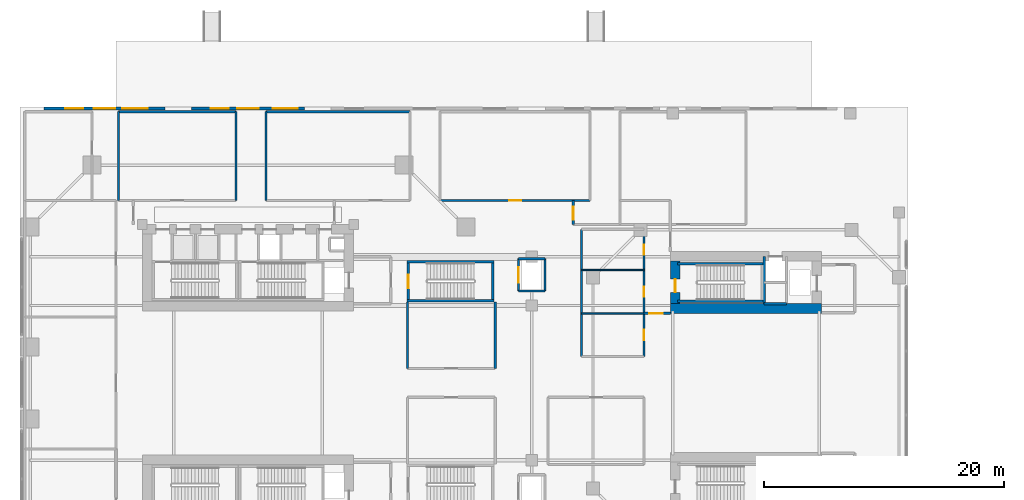
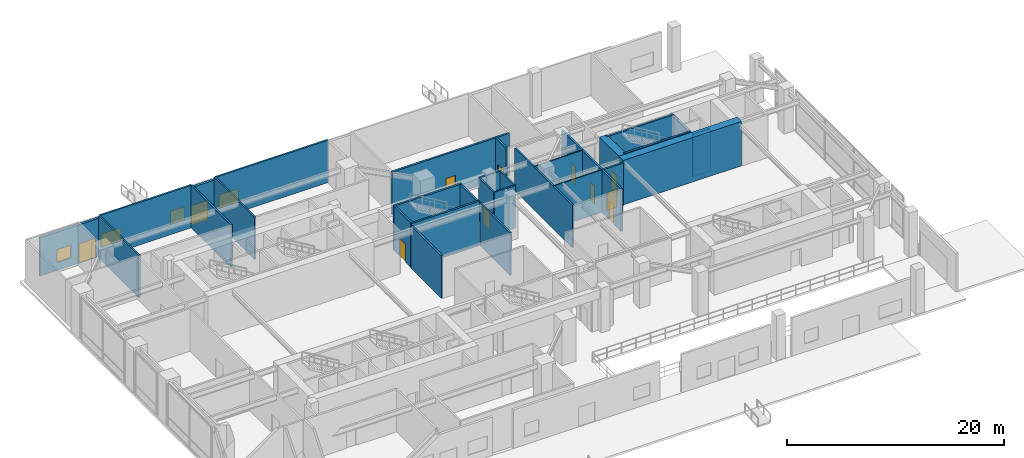
# One storey, part 11 of 18: 30 walls, 11 doors, 4 windows, 15 openings.
"""IFC4 building model written with IfcOpenShell, lengths in metres."""

from ifc_helpers import new_model, si_unit, direction, frame, frame_2d, origin, place, context, subcontext, project, spatial, rectangle, extrude, source, transform, mapped, material, layer, layer_set, type_object, element, fill, save


model = new_model("IFC4")

# Units and contexts
model_context = context("Model", 3, precision=1e-05, world=origin(), true_north=direction((0.0, 1.0)))
body_context = subcontext(model_context, "Body", "Model", "MODEL_VIEW")
ifc_project = project(units=[si_unit("LENGTHUNIT", "METRE"), si_unit("AREAUNIT", "SQUARE_METRE"), si_unit("VOLUMEUNIT", "CUBIC_METRE"), si_unit("PLANEANGLEUNIT", "RADIAN"), si_unit("MASSUNIT", "GRAM", prefix="KILO"), si_unit("THERMODYNAMICTEMPERATUREUNIT", "KELVIN"), si_unit("POWERUNIT", "WATT")], contexts=[model_context])

# Site, building, storey
site_placement = place(None, origin())
site = spatial("IfcSite", under=ifc_project, at=site_placement, CompositionType="ELEMENT")
building_placement = place(site_placement, origin())
building = spatial("IfcBuilding", under=site, at=building_placement, Name="Qiaomeng Ring Towers", CompositionType="ELEMENT")
storey_placement = place(building_placement, origin())
storey = spatial("IfcBuildingStorey", under=building, at=storey_placement, Name="L00", CompositionType="ELEMENT", Elevation=0.0)

# Wall, openings, door, windows
ifc_material_1 = material(Name="Precast concrete C40", Category="concrete")
ifc_layer_1 = layer(ifc_material_1, 0.25, Name="Precast concrete C40")
ifc_layer_set_1 = layer_set([ifc_layer_1], Name="Precast concrete C40")
wall_type_1 = type_object("IfcWallType", Name="ARC-WL-EW1", PredefinedType="STANDARD", material=ifc_layer_set_1)
wall_1_placement = place(storey_placement, frame((2.0, 45.875, 0.0), z_axis=(0.0, 0.0, 1.0), x_axis=(1.0, 0.0, 0.0)))
wall_1 = element("IfcWall", 1, at=wall_1_placement, inside=storey, type_object=wall_type_1, Name="L00 North Facade Wall N1", PredefinedType="STANDARD", context=body_context, shape_type="SweptSolid", body=[
    extrude(rectangle(XDim=10.10009765625, YDim=0.25, at=frame_2d((5.050048828125, 0.0))), origin(), (0.0, 0.0, 1.0), 4.320068359375),
])
opening_1_placement = place(wall_1_placement, frame((4.14990234375, 0.0, 0.0)))
opening_1 = element("IfcOpeningElement", 2, at=opening_1_placement, cuts=wall_1, Name="Opening ED1", PredefinedType="OPENING", context=body_context, shape_type="SweptSolid", body=[
    extrude(rectangle(XDim=1.800048828125, YDim=2.199951171875, at=frame_2d((0.89990234375, 1.10009765625))), frame((0.0, 0.135009765625, 0.0), z_axis=(0.0, -1.0, 0.0), x_axis=(1.0, 0.0, 0.0)), (0.0, 0.0, 1.0), 0.27001953125),
])
opening_2_placement = place(wall_1_placement, frame((1.77490234375, 0.0, 0.89990234375)))
opening_2 = element("IfcOpeningElement", 3, at=opening_2_placement, cuts=wall_1, Name="Opening WN2", PredefinedType="OPENING", context=body_context, shape_type="SweptSolid", body=[
    extrude(rectangle(XDim=1.5, YDim=1.449951171875, at=frame_2d((0.75, 0.72509765625))), frame((0.0, 0.135009765625, 0.0), z_axis=(0.0, -1.0, 0.0), x_axis=(1.0, 0.0, 0.0)), (0.0, 0.0, 1.0), 0.27001953125),
])
opening_3_placement = place(wall_1_placement, frame((6.52490234375, 0.0, 0.89990234375)))
opening_3 = element("IfcOpeningElement", 4, at=opening_3_placement, cuts=wall_1, Name="Opening WN4", PredefinedType="OPENING", context=body_context, shape_type="SweptSolid", body=[
    extrude(rectangle(XDim=2.10009765625, YDim=1.47998046875, at=frame_2d((1.050048828125, 0.739990234375))), frame((0.0, 0.135009765625, 0.0), z_axis=(0.0, -1.0, 0.0), x_axis=(1.0, 0.0, 0.0)), (0.0, 0.0, 1.0), 0.27001953125),
])
ifc_material_2 = material(Name="Fluorocarbon dark-grey aluminium", Category="aluminium")
door_type_1 = type_object("IfcDoorType", Name="ARC-DR-ED1", OperationType="NOTDEFINED", PredefinedType="DOOR", material=ifc_material_2)
shared_shape_1 = source(origin(), body_context, "Body", "SweptSolid", [
    extrude(rectangle(XDim=1.800048828125, YDim=2.199951171875, at=frame_2d((0.89990234375, 1.10009765625))), frame((0.0, 0.02490234375, 0.0), z_axis=(0.0, -1.0, 0.0), x_axis=(1.0, 0.0, 0.0)), (0.0, 0.0, 1.0), 0.050048828125),
])
door_1_placement = place(opening_1_placement, origin())
door_1 = element("IfcDoor", 5, at=door_1_placement, inside=storey, type_object=door_type_1, Name="Ground Final Exit Double Door ED06", OperationType="DOUBLE_DOOR_SINGLE_SWING", OverallHeight=2.199951171875, OverallWidth=1.800048828125, PredefinedType="DOOR", context=body_context, shape_type="MappedRepresentation", body=[
    mapped(shared_shape_1, transform((0.0, 0.0, 0.0), x_axis=(1.0, 0.0, 0.0), y_axis=(0.0, 1.0, 0.0), z_axis=(0.0, 0.0, 1.0), scale=1.0)),
])
fill(opening_1, door_1)
ifc_material_3 = material(Name="Low-E dark-grey laminated double glazing", Category="glass")
window_type_1 = type_object("IfcWindowType", Name="ARC-WN-2", PartitioningType="DOUBLE_PANEL_VERTICAL", PredefinedType="WINDOW", material=ifc_material_3)
shared_shape_2 = source(origin(), body_context, "Body", "SweptSolid", [
    extrude(rectangle(XDim=1.5, YDim=1.449951171875, at=frame_2d((0.75, 0.72509765625))), frame((0.0, 0.030029296875, 0.0), z_axis=(0.0, -1.0, 0.0), x_axis=(1.0, 0.0, 0.0)), (0.0, 0.0, 1.0), 0.06005859375),
])
window_1_placement = place(opening_2_placement, origin())
window_1 = element("IfcWindow", 6, at=window_1_placement, inside=storey, type_object=window_type_1, Name="L00 Exterior Window WN2", OverallHeight=1.449951171875, OverallWidth=1.5, PartitioningType="DOUBLE_PANEL_VERTICAL", PredefinedType="WINDOW", context=body_context, shape_type="MappedRepresentation", body=[
    mapped(shared_shape_2, transform((0.0, 0.0, 0.0), x_axis=(1.0, 0.0, 0.0), y_axis=(0.0, 1.0, 0.0), z_axis=(0.0, 0.0, 1.0), scale=1.0)),
])
fill(opening_2, window_1)
window_type_2 = type_object("IfcWindowType", Name="ARC-WN-4", PartitioningType="TRIPLE_PANEL_VERTICAL", PredefinedType="WINDOW", material=ifc_material_3)
shared_shape_3 = source(origin(), body_context, "Body", "SweptSolid", [
    extrude(rectangle(XDim=2.10009765625, YDim=1.47998046875, at=frame_2d((1.050048828125, 0.739990234375))), frame((0.0, 0.030029296875, 0.0), z_axis=(0.0, -1.0, 0.0), x_axis=(1.0, 0.0, 0.0)), (0.0, 0.0, 1.0), 0.06005859375),
])
window_2_placement = place(opening_3_placement, origin())
window_2 = element("IfcWindow", 7, at=window_2_placement, inside=storey, type_object=window_type_2, Name="L00 Exterior Window WN4", OverallHeight=1.47998046875, OverallWidth=2.10009765625, PartitioningType="TRIPLE_PANEL_VERTICAL", PredefinedType="WINDOW", context=body_context, shape_type="MappedRepresentation", body=[
    mapped(shared_shape_3, transform((0.0, 0.0, 0.0), x_axis=(1.0, 0.0, 0.0), y_axis=(0.0, 1.0, 0.0), z_axis=(0.0, 0.0, 1.0), scale=1.0)),
])
fill(opening_3, window_2)

wall_2_placement = place(storey_placement, frame((14.300048828125, 45.875, 0.0), z_axis=(0.0, 0.0, 1.0), x_axis=(1.0, 0.0, 0.0)))
wall_2 = element("IfcWall", 8, at=wall_2_placement, inside=storey, type_object=wall_type_1, Name="L00 North Facade Wall N2", PredefinedType="STANDARD", context=body_context, shape_type="SweptSolid", body=[
    extrude(rectangle(XDim=9.39990234375, YDim=0.25, at=frame_2d((4.699951171875, 0.0))), origin(), (0.0, 0.0, 1.0), 4.320068359375),
])
opening_4_placement = place(wall_2_placement, frame((3.800048828125, 0.0, 0.0)))
opening_4 = element("IfcOpeningElement", 9, at=opening_4_placement, cuts=wall_2, Name="Opening ED1", PredefinedType="OPENING", context=body_context, shape_type="SweptSolid", body=[
    extrude(rectangle(XDim=1.800048828125, YDim=2.199951171875, at=frame_2d((0.89990234375, 1.10009765625))), frame((0.0, 0.135009765625, 0.0), z_axis=(0.0, -1.0, 0.0), x_axis=(1.0, 0.0, 0.0)), (0.0, 0.0, 1.0), 0.27001953125),
])
opening_5_placement = place(wall_2_placement, frame((1.60009765625, 0.0, 0.89990234375)))
opening_5 = element("IfcOpeningElement", 10, at=opening_5_placement, cuts=wall_2, Name="Opening WN2", PredefinedType="OPENING", context=body_context, shape_type="SweptSolid", body=[
    extrude(rectangle(XDim=1.5, YDim=1.449951171875, at=frame_2d((0.75, 0.72509765625))), frame((0.0, 0.135009765625, 0.0), z_axis=(0.0, -1.0, 0.0), x_axis=(1.0, 0.0, 0.0)), (0.0, 0.0, 1.0), 0.27001953125),
])
opening_6_placement = place(wall_2_placement, frame((6.75, 0.0, 0.89990234375)))
opening_6 = element("IfcOpeningElement", 11, at=opening_6_placement, cuts=wall_2, Name="Opening WN4", PredefinedType="OPENING", context=body_context, shape_type="SweptSolid", body=[
    extrude(rectangle(XDim=2.10009765625, YDim=1.5, at=frame_2d((1.050048828125, 0.75))), frame((0.0, 0.135009765625, 0.0), z_axis=(0.0, -1.0, 0.0), x_axis=(1.0, 0.0, 0.0)), (0.0, 0.0, 1.0), 0.27001953125),
])
door_2_placement = place(opening_4_placement, origin())
door_2 = element("IfcDoor", 12, at=door_2_placement, inside=storey, type_object=door_type_1, Name="Ground Final Exit Double Door ED07", OperationType="DOUBLE_DOOR_SINGLE_SWING", OverallHeight=2.199951171875, OverallWidth=1.800048828125, PredefinedType="DOOR", context=body_context, shape_type="MappedRepresentation", body=[
    mapped(shared_shape_1, transform((0.0, 0.0, 0.0), x_axis=(1.0, 0.0, 0.0), y_axis=(0.0, 1.0, 0.0), z_axis=(0.0, 0.0, 1.0), scale=1.0)),
])
fill(opening_4, door_2)
window_3_placement = place(opening_5_placement, origin())
window_3 = element("IfcWindow", 13, at=window_3_placement, inside=storey, type_object=window_type_1, Name="L00 Exterior Window WN2", OverallHeight=1.449951171875, OverallWidth=1.5, PartitioningType="DOUBLE_PANEL_VERTICAL", PredefinedType="WINDOW", context=body_context, shape_type="MappedRepresentation", body=[
    mapped(shared_shape_2, transform((0.0, 0.0, 0.0), x_axis=(1.0, 0.0, 0.0), y_axis=(0.0, 1.0, 0.0), z_axis=(0.0, 0.0, 1.0), scale=1.0)),
])
fill(opening_5, window_3)
shared_shape_4 = source(origin(), body_context, "Body", "SweptSolid", [
    extrude(rectangle(XDim=2.10009765625, YDim=1.5, at=frame_2d((1.050048828125, 0.75))), frame((0.0, 0.030029296875, 0.0), z_axis=(0.0, -1.0, 0.0), x_axis=(1.0, 0.0, 0.0)), (0.0, 0.0, 1.0), 0.06005859375),
])
window_4_placement = place(opening_6_placement, origin())
window_4 = element("IfcWindow", 14, at=window_4_placement, inside=storey, type_object=window_type_2, Name="L00 Exterior Window WN4", OverallHeight=1.5, OverallWidth=2.10009765625, PartitioningType="TRIPLE_PANEL_VERTICAL", PredefinedType="WINDOW", context=body_context, shape_type="MappedRepresentation", body=[
    mapped(shared_shape_4, transform((0.0, 0.0, 0.0), x_axis=(1.0, 0.0, 0.0), y_axis=(0.0, 1.0, 0.0), z_axis=(0.0, 0.0, 1.0), scale=1.0)),
])
fill(opening_6, window_4)

# Wall, opening, door
ifc_material_4 = material(Name="Autoclaved aerated concrete block", Category="concrete")
ifc_layer_2 = layer(ifc_material_4, 0.199951171875, Name="Autoclaved aerated concrete block")
ifc_layer_set_2 = layer_set([ifc_layer_2], Name="Autoclaved aerated concrete block")
wall_type_2 = type_object("IfcWallType", Name="ARC-WL-PW1", PredefinedType="PARTITIONING", material=ifc_layer_set_2)
wall_3_placement = place(storey_placement, frame((52.0, 28.800048828125, 0.0), z_axis=(0.0, 0.0, 1.0), x_axis=(1.0, 0.0, 0.0)))
wall_3 = element("IfcWall", 15, at=wall_3_placement, inside=storey, type_object=wall_type_2, Name="L00 Interior Wall PW1", PredefinedType="PARTITIONING", context=body_context, shape_type="SweptSolid", body=[
    extrude(rectangle(XDim=2.199951171875, YDim=0.199951171875, at=frame_2d((1.10009765625, 0.0))), origin(), (0.0, 0.0, 1.0), 4.780029296875),
])
opening_7_placement = place(wall_3_placement, frame((0.449951171875, 0.0, 0.0)))
opening_7 = element("IfcOpeningElement", 16, at=opening_7_placement, cuts=wall_3, Name="Opening FD3", PredefinedType="OPENING", context=body_context, shape_type="SweptSolid", body=[
    extrude(rectangle(XDim=1.10009765625, YDim=2.050048828125, at=frame_2d((0.550048828125, 1.02490234375))), frame((0.0, 0.10986328125, 0.0), z_axis=(0.0, -1.0, 0.0), x_axis=(1.0, 0.0, 0.0)), (0.0, 0.0, 1.0), 0.219970703125),
])
ifc_material_5 = material(Name="Galvanised steel", Category="steel")
door_type_2 = type_object("IfcDoorType", Name="ARC-DR-FD3", OperationType="NOTDEFINED", PredefinedType="DOOR", material=ifc_material_5)
shared_shape_5 = source(origin(), body_context, "Body", "SweptSolid", [
    extrude(rectangle(XDim=1.10009765625, YDim=2.050048828125, at=frame_2d((0.550048828125, 1.02490234375))), frame((0.0, 0.02490234375, 0.0), z_axis=(0.0, -1.0, 0.0), x_axis=(1.0, 0.0, 0.0)), (0.0, 0.0, 1.0), 0.050048828125),
])
door_3_placement = place(opening_7_placement, origin())
door_3 = element("IfcDoor", 17, at=door_3_placement, inside=storey, type_object=door_type_2, Name="L00 Door FD3", OperationType="SINGLE_SWING_RIGHT", OverallHeight=2.050048828125, OverallWidth=1.10009765625, PredefinedType="DOOR", context=body_context, shape_type="MappedRepresentation", body=[
    mapped(shared_shape_5, transform((0.0, 0.0, 0.0), x_axis=(1.0, 0.0, 0.0), y_axis=(0.0, 1.0, 0.0), z_axis=(0.0, 0.0, 1.0), scale=1.0)),
])
fill(opening_7, door_3)

# Wall, openings, doors
wall_4_placement = place(storey_placement, frame((52.0, 25.199951171875, 0.0), z_axis=(0.0, 0.0, 1.0), x_axis=(0.0, 1.0, 0.0)))
wall_4 = element("IfcWall", 18, at=wall_4_placement, inside=storey, type_object=wall_type_2, Name="L00 Interior Wall PW1", PredefinedType="PARTITIONING", context=body_context, shape_type="SweptSolid", body=[
    extrude(rectangle(XDim=11.0, YDim=0.199951171875, at=frame_2d((5.5, 0.0))), origin(), (0.0, 0.0, 1.0), 4.780029296875),
])
opening_8_placement = place(wall_4_placement, frame((1.375, 0.0, 0.0)))
opening_8 = element("IfcOpeningElement", 19, at=opening_8_placement, cuts=wall_4, Name="Opening ID2", PredefinedType="OPENING", context=body_context, shape_type="SweptSolid", body=[
    extrude(rectangle(XDim=0.85009765625, YDim=2.050048828125, at=frame_2d((0.425048828125, 1.02490234375))), frame((0.0, 0.10986328125, 0.0), z_axis=(0.0, -1.0, 0.0), x_axis=(1.0, 0.0, 0.0)), (0.0, 0.0, 1.0), 0.219970703125),
])
opening_9_placement = place(wall_4_placement, frame((4.97998046875, 0.0, 0.0)))
opening_9 = element("IfcOpeningElement", 20, at=opening_9_placement, cuts=wall_4, Name="Opening ID2", PredefinedType="OPENING", context=body_context, shape_type="SweptSolid", body=[
    extrude(rectangle(XDim=0.85009765625, YDim=2.050048828125, at=frame_2d((0.425048828125, 1.02490234375))), frame((0.0, 0.10986328125, 0.0), z_axis=(0.0, -1.0, 0.0), x_axis=(1.0, 0.0, 0.0)), (0.0, 0.0, 1.0), 0.219970703125),
])
opening_10_placement = place(wall_4_placement, frame((8.47998046875, 0.0, 0.0)))
opening_10 = element("IfcOpeningElement", 21, at=opening_10_placement, cuts=wall_4, Name="Opening ID2", PredefinedType="OPENING", context=body_context, shape_type="SweptSolid", body=[
    extrude(rectangle(XDim=0.85009765625, YDim=2.050048828125, at=frame_2d((0.425048828125, 1.02490234375))), frame((0.0, 0.10986328125, 0.0), z_axis=(0.0, -1.0, 0.0), x_axis=(1.0, 0.0, 0.0)), (0.0, 0.0, 1.0), 0.219970703125),
])
ifc_material_6 = material(Name="Moisture-resistant engineered timber", Category="wood")
door_type_3 = type_object("IfcDoorType", Name="ARC-DR-ID2", OperationType="NOTDEFINED", PredefinedType="DOOR", material=ifc_material_6)
shared_shape_6 = source(origin(), body_context, "Body", "SweptSolid", [
    extrude(rectangle(XDim=0.85009765625, YDim=2.050048828125, at=frame_2d((0.425048828125, 1.02490234375))), frame((0.0, 0.02490234375, 0.0), z_axis=(0.0, -1.0, 0.0), x_axis=(1.0, 0.0, 0.0)), (0.0, 0.0, 1.0), 0.050048828125),
])
door_4_placement = place(opening_8_placement, origin())
door_4 = element("IfcDoor", 22, at=door_4_placement, inside=storey, type_object=door_type_3, Name="L00 Door ID2", OperationType="SINGLE_SWING_LEFT", OverallHeight=2.050048828125, OverallWidth=0.85009765625, PredefinedType="DOOR", context=body_context, shape_type="MappedRepresentation", body=[
    mapped(shared_shape_6, transform((0.0, 0.0, 0.0), x_axis=(1.0, 0.0, 0.0), y_axis=(0.0, 1.0, 0.0), z_axis=(0.0, 0.0, 1.0), scale=1.0)),
])
fill(opening_8, door_4)
door_5_placement = place(opening_9_placement, origin())
door_5 = element("IfcDoor", 23, at=door_5_placement, inside=storey, type_object=door_type_3, Name="L00 Door ID2", OperationType="SINGLE_SWING_RIGHT", OverallHeight=2.050048828125, OverallWidth=0.85009765625, PredefinedType="DOOR", context=body_context, shape_type="MappedRepresentation", body=[
    mapped(shared_shape_6, transform((0.0, 0.0, 0.0), x_axis=(1.0, 0.0, 0.0), y_axis=(0.0, 1.0, 0.0), z_axis=(0.0, 0.0, 1.0), scale=1.0)),
])
fill(opening_9, door_5)
door_6_placement = place(opening_10_placement, origin())
door_6 = element("IfcDoor", 24, at=door_6_placement, inside=storey, type_object=door_type_3, Name="L00 Door ID2", OperationType="SINGLE_SWING_LEFT", OverallHeight=2.050048828125, OverallWidth=0.85009765625, PredefinedType="DOOR", context=body_context, shape_type="MappedRepresentation", body=[
    mapped(shared_shape_6, transform((0.0, 0.0, 0.0), x_axis=(1.0, 0.0, 0.0), y_axis=(0.0, 1.0, 0.0), z_axis=(0.0, 0.0, 1.0), scale=1.0)),
])
fill(opening_10, door_6)

# Wall, opening, door
wall_5_placement = place(storey_placement, frame((46.10009765625, 36.199951171875, 0.0), z_axis=(0.0, 0.0, 1.0), x_axis=(0.0, 1.0, 0.0)))
wall_5 = element("IfcWall", 25, at=wall_5_placement, inside=storey, type_object=wall_type_2, Name="L00 Interior Wall PW1", PredefinedType="PARTITIONING", context=body_context, shape_type="SweptSolid", body=[
    extrude(rectangle(XDim=2.0, YDim=0.199951171875, at=frame_2d((1.0, 0.0))), origin(), (0.0, 0.0, 1.0), 4.780029296875),
])
opening_11_placement = place(wall_5_placement, frame((0.39990234375, 0.0, 0.0)))
opening_11 = element("IfcOpeningElement", 26, at=opening_11_placement, cuts=wall_5, Name="Opening FD3", PredefinedType="OPENING", context=body_context, shape_type="SweptSolid", body=[
    extrude(rectangle(XDim=1.10009765625, YDim=2.050048828125, at=frame_2d((0.550048828125, 1.02490234375))), frame((0.0, 0.10986328125, 0.0), z_axis=(0.0, -1.0, 0.0), x_axis=(1.0, 0.0, 0.0)), (0.0, 0.0, 1.0), 0.219970703125),
])
door_7_placement = place(opening_11_placement, origin())
door_7 = element("IfcDoor", 27, at=door_7_placement, inside=storey, type_object=door_type_2, Name="L00 Door FD3", OperationType="SINGLE_SWING_RIGHT", OverallHeight=2.050048828125, OverallWidth=1.10009765625, PredefinedType="DOOR", context=body_context, shape_type="MappedRepresentation", body=[
    mapped(shared_shape_5, transform((0.0, 0.0, 0.0), x_axis=(1.0, 0.0, 0.0), y_axis=(0.0, 1.0, 0.0), z_axis=(0.0, 0.0, 1.0), scale=1.0)),
])
fill(opening_11, door_7)

wall_6_placement = place(storey_placement, frame((35.0, 38.199951171875, 0.0), z_axis=(0.0, 0.0, 1.0), x_axis=(1.0, 0.0, 0.0)))
wall_6 = element("IfcWall", 28, at=wall_6_placement, inside=storey, type_object=wall_type_2, Name="L00 Interior Wall PW1", PredefinedType="PARTITIONING", context=body_context, shape_type="SweptSolid", body=[
    extrude(rectangle(XDim=12.5, YDim=0.199951171875, at=frame_2d((6.25, 0.0))), origin(), (0.0, 0.0, 1.0), 4.780029296875),
])
opening_12_placement = place(wall_6_placement, frame((5.75, 0.0, 0.0)))
opening_12 = element("IfcOpeningElement", 29, at=opening_12_placement, cuts=wall_6, Name="Opening FD4", PredefinedType="OPENING", context=body_context, shape_type="SweptSolid", body=[
    extrude(rectangle(XDim=1.0, YDim=2.050048828125, at=frame_2d((0.5, 1.02490234375))), frame((0.0, 0.10986328125, 0.0), z_axis=(0.0, -1.0, 0.0), x_axis=(1.0, 0.0, 0.0)), (0.0, 0.0, 1.0), 0.219970703125),
])
ifc_material_7 = material(Name="Engineered fire-rated oak timber", Category="wood")
door_type_4 = type_object("IfcDoorType", Name="ARC-DR-FD4", OperationType="NOTDEFINED", PredefinedType="DOOR", material=ifc_material_7)
shared_shape_7 = source(origin(), body_context, "Body", "SweptSolid", [
    extrude(rectangle(XDim=1.0, YDim=2.050048828125, at=frame_2d((0.5, 1.02490234375))), frame((0.0, 0.02490234375, 0.0), z_axis=(0.0, -1.0, 0.0), x_axis=(1.0, 0.0, 0.0)), (0.0, 0.0, 1.0), 0.050048828125),
])
door_8_placement = place(opening_12_placement, origin())
door_8 = element("IfcDoor", 30, at=door_8_placement, inside=storey, type_object=door_type_4, Name="L00 Community Pharmacy Dispensary Door", OperationType="SINGLE_SWING_LEFT", OverallHeight=2.050048828125, OverallWidth=1.0, PredefinedType="DOOR", context=body_context, shape_type="MappedRepresentation", body=[
    mapped(shared_shape_7, transform((0.0, 0.0, 0.0), x_axis=(1.0, 0.0, 0.0), y_axis=(0.0, 1.0, 0.0), z_axis=(0.0, 0.0, 1.0), scale=1.0)),
])
fill(opening_12, door_8)

# Walls
ifc_layer_3 = layer(ifc_material_4, 0.179931640625, Name="Autoclaved aerated concrete block")
ifc_layer_set_3 = layer_set([ifc_layer_3], Name="Autoclaved aerated concrete block")
wall_type_3 = type_object("IfcWallType", Name="ARC-WL-PW2", PredefinedType="PARTITIONING", material=ifc_layer_set_3)
wall_7_placement = place(storey_placement, frame((46.800048828125, 25.199951171875, 0.0), z_axis=(0.0, 0.0, 1.0), x_axis=(0.0, 1.0, 0.0)))
element("IfcWall", 31, at=wall_7_placement, inside=storey, type_object=wall_type_3, Name="L00 Interior Wall PW2", PredefinedType="PARTITIONING", context=body_context, shape_type="SweptSolid", body=[
    extrude(rectangle(XDim=10.60009765625, YDim=0.179931640625, at=frame_2d((5.300048828125, 0.0))), origin(), (0.0, 0.0, 1.0), 4.780029296875),
])
wall_8_placement = place(storey_placement, frame((8.199951171875, 45.60009765625, 0.0), z_axis=(0.0, 0.0, 1.0), x_axis=(1.0, 0.0, 0.0)))
element("IfcWall", 32, at=wall_8_placement, inside=storey, type_object=wall_type_3, Name="L00 Interior Wall PW2", PredefinedType="PARTITIONING", context=body_context, shape_type="SweptSolid", body=[
    extrude(rectangle(XDim=9.800048828125, YDim=0.179931640625, at=frame_2d((4.89990234375, 0.0))), origin(), (0.0, 0.0, 1.0), 4.780029296875),
])
for number, where, z_axis, x_axis, name in (
    (33, (8.199951171875, 38.199951171875, 0.0), (0.0, 0.0, 1.0), (0.0, 1.0, 0.0), "L00 Interior Wall PW2"),
    (34, (18.0, 38.199951171875, 0.0), (0.0, 0.0, 1.0), (0.0, 1.0, 0.0), "L00 Interior Wall PW2"),
):
    element("IfcWall", number, at=place(storey_placement, frame(where, z_axis=z_axis, x_axis=x_axis)), inside=storey, type_object=wall_type_3, Name=name, PredefinedType="PARTITIONING", context=body_context, shape_type="SweptSolid", body=[
        extrude(rectangle(XDim=7.400146484375, YDim=0.179931640625, at=frame_2d((3.7001953125, 0.0))), origin(), (0.0, 0.0, 1.0), 4.780029296875),
    ])
wall_9_placement = place(storey_placement, frame((20.5, 45.60009765625, 0.0), z_axis=(0.0, 0.0, 1.0), x_axis=(1.0, 0.0, 0.0)))
element("IfcWall", 35, at=wall_9_placement, inside=storey, type_object=wall_type_3, Name="L00 Interior Wall PW2", PredefinedType="PARTITIONING", context=body_context, shape_type="SweptSolid", body=[
    extrude(rectangle(XDim=12.0, YDim=0.179931640625, at=frame_2d((6.0, 0.0))), origin(), (0.0, 0.0, 1.0), 4.780029296875),
])
wall_10_placement = place(storey_placement, frame((20.5, 38.199951171875, 0.0), z_axis=(0.0, 0.0, 1.0), x_axis=(0.0, 1.0, 0.0)))
element("IfcWall", 36, at=wall_10_placement, inside=storey, type_object=wall_type_3, Name="L00 Interior Wall PW2", PredefinedType="PARTITIONING", context=body_context, shape_type="SweptSolid", body=[
    extrude(rectangle(XDim=7.400146484375, YDim=0.179931640625, at=frame_2d((3.7001953125, 0.0))), origin(), (0.0, 0.0, 1.0), 4.780029296875),
])
for number, where, z_axis, x_axis, name in (
    (37, (32.300048828125, 24.199951171875, 0.0), (0.0, 0.0, 1.0), (0.0, 1.0, 0.0), "L00 Interior Wall PW2"),
    (38, (39.60009765625, 24.199951171875, 0.0), (0.0, 0.0, 1.0), (0.0, 1.0, 0.0), "L00 Interior Wall PW2"),
):
    element("IfcWall", number, at=place(storey_placement, frame(where, z_axis=z_axis, x_axis=x_axis)), inside=storey, type_object=wall_type_3, Name=name, PredefinedType="PARTITIONING", context=body_context, shape_type="SweptSolid", body=[
        extrude(rectangle(XDim=5.550048828125, YDim=0.179931640625, at=frame_2d((2.77490234375, 0.0))), origin(), (0.0, 0.0, 1.0), 4.780029296875),
    ])
ifc_material_8 = material(Name="Moisture-resistant gypsum steel-stud partition", Category="steel")
ifc_layer_4 = layer(ifc_material_8, 0.1201171875, Name="Moisture-resistant gypsum steel-stud partition")
ifc_layer_set_4 = layer_set([ifc_layer_4], Name="Moisture-resistant gypsum steel-stud partition")
wall_type_4 = type_object("IfcWallType", Name="ARC-WL-PW4", PredefinedType="PLUMBINGWALL", material=ifc_layer_set_4)
for number, where, z_axis, x_axis, name in (
    (39, (46.800048828125, 28.800048828125, 0.0), (0.0, 0.0, 1.0), (1.0, 0.0, 0.0), "L00 Interior Wall PW4"),
    (40, (46.800048828125, 32.409912109375, 0.0), (0.0, 0.0, 1.0), (1.0, 0.0, 0.0), "L00 Interior Wall PW4"),
):
    element("IfcWall", number, at=place(storey_placement, frame(where, z_axis=z_axis, x_axis=x_axis)), inside=storey, type_object=wall_type_4, Name=name, PredefinedType="PLUMBINGWALL", context=body_context, shape_type="SweptSolid", body=[
        extrude(rectangle(XDim=5.199951171875, YDim=0.1201171875, at=frame_2d((2.60009765625, 0.0))), origin(), (0.0, 0.0, 1.0), 4.780029296875),
    ])
ifc_material_9 = material(Name="Concrete C40", Category="concrete")
ifc_layer_5 = layer(ifc_material_9, 0.199951171875, Name="Concrete C40")
ifc_layer_set_5 = layer_set([ifc_layer_5], Name="Concrete C40")
wall_type_5 = type_object("IfcWallType", Name="STR-WL-STSHAFT", PredefinedType="SHEAR", material=ifc_layer_set_5)
wall_11_placement = place(storey_placement, frame((62.02001953125, 29.60009765625, 0.0), z_axis=(0.0, 0.0, 1.0), x_axis=(0.0, 1.0, 0.0)))
element("IfcWall", 41, at=wall_11_placement, inside=storey, type_object=wall_type_5, Name="L00 Companion Lift Shaft West Wall N", PredefinedType="SHEAR", context=body_context, shape_type="SweptSolid", body=[
    extrude(rectangle(XDim=3.949951171875, YDim=0.179931640625, at=frame_2d((1.97509765625, 0.0))), origin(), (0.0, 0.0, 1.0), 4.780029296875),
])
wall_12_placement = place(storey_placement, frame((62.02001953125, 29.60009765625, 0.0), z_axis=(0.0, 0.0, 1.0), x_axis=(1.0, 0.0, 0.0)))
element("IfcWall", 42, at=wall_12_placement, inside=storey, type_object=wall_type_5, Name="L00 Companion Riser Shaft Back Wall N", PredefinedType="SHEAR", context=body_context, shape_type="SweptSolid", body=[
    extrude(rectangle(XDim=1.85986328125, YDim=0.179931640625, at=frame_2d((0.929931640625, 0.0))), origin(), (0.0, 0.0, 1.0), 4.780029296875),
])

# Wall, opening, door
wall_13_placement = place(storey_placement, frame((41.550048828125, 30.64990234375, 0.0), z_axis=(0.0, 0.0, 1.0), x_axis=(0.0, 1.0, 0.0)))
wall_13 = element("IfcWall", 43, at=wall_13_placement, inside=storey, type_object=wall_type_5, Name="L00 Medical Lift LP9 West Shaft Wall", PredefinedType="SHEAR", context=body_context, shape_type="SweptSolid", body=[
    extrude(rectangle(XDim=2.7001953125, YDim=0.179931640625, at=frame_2d((1.35009765625, 0.0))), origin(), (0.0, 0.0, 1.0), 4.780029296875),
])
opening_13_placement = place(wall_13_placement, frame((0.699951171875, 0.0, 0.0)))
opening_13 = element("IfcOpeningElement", 44, at=opening_13_placement, cuts=wall_13, Name="Opening LD2", PredefinedType="OPENING", context=body_context, shape_type="SweptSolid", body=[
    extrude(rectangle(XDim=1.300048828125, YDim=2.050048828125, at=frame_2d((0.64990234375, 1.02490234375))), frame((0.0, 0.099853515625, 0.0), z_axis=(0.0, -1.0, 0.0), x_axis=(1.0, 0.0, 0.0)), (0.0, 0.0, 1.0), 0.199951171875),
])
ifc_material_10 = material(Name="Stainless steel 316", Category="steel")
door_type_5 = type_object("IfcDoorType", Name="ARC-DR-LD2", OperationType="NOTDEFINED", PredefinedType="DOOR", material=ifc_material_10)
shared_shape_8 = source(origin(), body_context, "Body", "SweptSolid", [
    extrude(rectangle(XDim=1.300048828125, YDim=2.050048828125, at=frame_2d((0.64990234375, 1.02490234375))), frame((0.0, 0.02490234375, 0.0), z_axis=(0.0, -1.0, 0.0), x_axis=(1.0, 0.0, 0.0)), (0.0, 0.0, 1.0), 0.050048828125),
])
door_9_placement = place(opening_13_placement, origin())
door_9 = element("IfcDoor", 45, at=door_9_placement, inside=storey, type_object=door_type_5, Name="L00 Medical Lift LP9 Landing Door", OperationType="SLIDING_TO_LEFT", OverallHeight=2.050048828125, OverallWidth=1.300048828125, PredefinedType="DOOR", context=body_context, shape_type="MappedRepresentation", body=[
    mapped(shared_shape_8, transform((0.0, 0.0, 0.0), x_axis=(1.0, 0.0, 0.0), y_axis=(0.0, 1.0, 0.0), z_axis=(0.0, 0.0, 1.0), scale=1.0)),
])
fill(opening_13, door_9)

# Walls
wall_14_placement = place(storey_placement, frame((43.75, 30.64990234375, 0.0), z_axis=(0.0, 0.0, 1.0), x_axis=(0.0, 1.0, 0.0)))
element("IfcWall", 46, at=wall_14_placement, inside=storey, type_object=wall_type_5, Name="L00 Medical Lift LP9 East Shaft Wall", PredefinedType="SHEAR", context=body_context, shape_type="SweptSolid", body=[
    extrude(rectangle(XDim=2.7001953125, YDim=0.179931640625, at=frame_2d((1.35009765625, 0.0))), origin(), (0.0, 0.0, 1.0), 4.780029296875),
])
for number, where, z_axis, x_axis, name in (
    (47, (41.550048828125, 30.64990234375, 0.0), (0.0, 0.0, 1.0), (1.0, 0.0, 0.0), "L00 Medical Lift LP9 South Shaft Wall"),
    (48, (41.550048828125, 33.35009765625, 0.0), (0.0, 0.0, 1.0), (1.0, 0.0, 0.0), "L00 Medical Lift LP9 North Shaft Wall"),
):
    element("IfcWall", number, at=place(storey_placement, frame(where, z_axis=z_axis, x_axis=x_axis)), inside=storey, type_object=wall_type_5, Name=name, PredefinedType="SHEAR", context=body_context, shape_type="SweptSolid", body=[
        extrude(rectangle(XDim=2.199951171875, YDim=0.179931640625, at=frame_2d((1.10009765625, 0.0))), origin(), (0.0, 0.0, 1.0), 4.780029296875),
    ])
for number, where, z_axis, x_axis, name in (
    (49, (54.800048828125, 29.800048828125, 0.0), (0.0, 0.0, 1.0), (1.0, 0.0, 0.0), "L00 Stair ST5 South Shaft Shear Wall"),
    (50, (54.800048828125, 32.93994140625, 0.0), (0.0, 0.0, 1.0), (1.0, 0.0, 0.0), "L00 Stair ST5 North Shaft Shear Wall"),
):
    element("IfcWall", number, at=place(storey_placement, frame(where, z_axis=z_axis, x_axis=x_axis)), inside=storey, type_object=wall_type_5, Name=name, PredefinedType="SHEAR", context=body_context, shape_type="SweptSolid", body=[
        extrude(rectangle(XDim=7.14990234375, YDim=0.199951171875, at=frame_2d((3.574951171875, 0.0))), origin(), (0.0, 0.0, 1.0), 5.0),
    ])
for number, where, z_axis, x_axis, name in (
    (51, (32.25, 29.860107421875, 0.0), (0.0, 0.0, 1.0), (1.0, 0.0, 0.0), "L00 Stair ST7 South Shaft Shear Wall"),
    (52, (32.25, 33.10009765625, 0.0), (0.0, 0.0, 1.0), (1.0, 0.0, 0.0), "L00 Stair ST7 North Shaft Shear Wall"),
):
    element("IfcWall", number, at=place(storey_placement, frame(where, z_axis=z_axis, x_axis=x_axis)), inside=storey, type_object=wall_type_5, Name=name, PredefinedType="SHEAR", context=body_context, shape_type="SweptSolid", body=[
        extrude(rectangle(XDim=7.25, YDim=0.199951171875, at=frame_2d((3.625, 0.0))), origin(), (0.0, 0.0, 1.0), 5.0),
    ])

# Wall, opening, door
wall_15_placement = place(storey_placement, frame((32.35009765625, 29.9599609375, 0.0), z_axis=(0.0, 0.0, 1.0), x_axis=(0.0, 1.0, 0.0)))
wall_15 = element("IfcWall", 53, at=wall_15_placement, inside=storey, type_object=wall_type_5, Name="L00 Stair ST7 West Shaft Shear Wall", PredefinedType="SHEAR", context=body_context, shape_type="SweptSolid", body=[
    extrude(rectangle(XDim=3.0400390625, YDim=0.199951171875, at=frame_2d((1.52001953125, 0.0))), origin(), (0.0, 0.0, 1.0), 5.0),
])
opening_14_placement = place(wall_15_placement, frame((0.949951171875, 0.0, 0.0)))
opening_14 = element("IfcOpeningElement", 54, at=opening_14_placement, cuts=wall_15, Name="Opening FD3", PredefinedType="OPENING", context=body_context, shape_type="SweptSolid", body=[
    extrude(rectangle(XDim=1.10009765625, YDim=2.050048828125, at=frame_2d((0.550048828125, 1.02490234375))), frame((0.0, 0.10986328125, 0.0), z_axis=(0.0, -1.0, 0.0), x_axis=(1.0, 0.0, 0.0)), (0.0, 0.0, 1.0), 0.219970703125),
])
door_10_placement = place(opening_14_placement, origin())
door_10 = element("IfcDoor", 55, at=door_10_placement, inside=storey, type_object=door_type_2, Name="L00 Podium Stair ST7 Exit Door", OperationType="SINGLE_SWING_RIGHT", OverallHeight=2.050048828125, OverallWidth=1.10009765625, PredefinedType="DOOR", context=body_context, shape_type="MappedRepresentation", body=[
    mapped(shared_shape_5, transform((0.0, 0.0, 0.0), x_axis=(1.0, 0.0, 0.0), y_axis=(0.0, 1.0, 0.0), z_axis=(0.0, 0.0, 1.0), scale=1.0)),
])
fill(opening_14, door_10)

# Walls
wall_16_placement = place(storey_placement, frame((39.39990234375, 29.9599609375, 0.0), z_axis=(0.0, 0.0, 1.0), x_axis=(0.0, 1.0, 0.0)))
element("IfcWall", 56, at=wall_16_placement, inside=storey, type_object=wall_type_5, Name="L00 Stair ST7 East Shaft Shear Wall", PredefinedType="SHEAR", context=body_context, shape_type="SweptSolid", body=[
    extrude(rectangle(XDim=3.0400390625, YDim=0.199951171875, at=frame_2d((1.52001953125, 0.0))), origin(), (0.0, 0.0, 1.0), 5.0),
])
ifc_material_11 = material(Name="Concrete C60", Category="concrete")
ifc_layer_6 = layer(ifc_material_11, 0.800048828125, Name="Concrete C60")
ifc_layer_set_6 = layer_set([ifc_layer_6], Name="Concrete C60")
wall_type_6 = type_object("IfcWallType", Name="STR-WL-SW1", PredefinedType="SHEAR", material=ifc_layer_set_6)
wall_17_placement = place(storey_placement, frame((54.199951171875, 29.199951171875, 0.0), z_axis=(0.0, 0.0, 1.0), x_axis=(1.0, 0.0, 0.0)))
element("IfcWall", 57, at=wall_17_placement, inside=storey, type_object=wall_type_6, Name="L00 T2NC south core shear wall", PredefinedType="SHEAR", context=body_context, shape_type="SweptSolid", body=[
    extrude(rectangle(XDim=12.60009765625, YDim=0.800048828125, at=frame_2d((6.300048828125, 0.0))), origin(), (0.0, 0.0, 1.0), 5.0),
])

# Wall, opening, door
wall_18_placement = place(storey_placement, frame((54.60009765625, 29.60009765625, 0.0), z_axis=(0.0, 0.0, 1.0), x_axis=(0.0, 1.0, 0.0)))
wall_18 = element("IfcWall", 58, at=wall_18_placement, inside=storey, type_object=wall_type_6, Name="L00 T2NC west core shear wall", PredefinedType="SHEAR", context=body_context, shape_type="SweptSolid", body=[
    extrude(rectangle(XDim=3.5498046875, YDim=0.800048828125, at=frame_2d((1.77490234375, 0.0))), origin(), (0.0, 0.0, 1.0), 5.0),
])
opening_15_placement = place(wall_18_placement, frame((0.949951171875, 0.0, 0.0)))
opening_15 = element("IfcOpeningElement", 59, at=opening_15_placement, cuts=wall_18, Name="Opening FD3", PredefinedType="OPENING", context=body_context, shape_type="SweptSolid", body=[
    extrude(rectangle(XDim=1.10009765625, YDim=2.050048828125, at=frame_2d((0.550048828125, 1.02490234375))), frame((0.0, 0.409912109375, 0.0), z_axis=(0.0, -1.0, 0.0), x_axis=(1.0, 0.0, 0.0)), (0.0, 0.0, 1.0), 0.820068359375),
])
door_11_placement = place(opening_15_placement, origin())
door_11 = element("IfcDoor", 60, at=door_11_placement, inside=storey, type_object=door_type_2, Name="L00 Stair ST5 Exit Door", OperationType="SINGLE_SWING_LEFT", OverallHeight=2.050048828125, OverallWidth=1.10009765625, PredefinedType="DOOR", context=body_context, shape_type="MappedRepresentation", body=[
    mapped(shared_shape_5, transform((0.0, 0.0, 0.0), x_axis=(1.0, 0.0, 0.0), y_axis=(0.0, 1.0, 0.0), z_axis=(0.0, 0.0, 1.0), scale=1.0)),
])
fill(opening_15, door_11)

save(model, "model.ifc")
